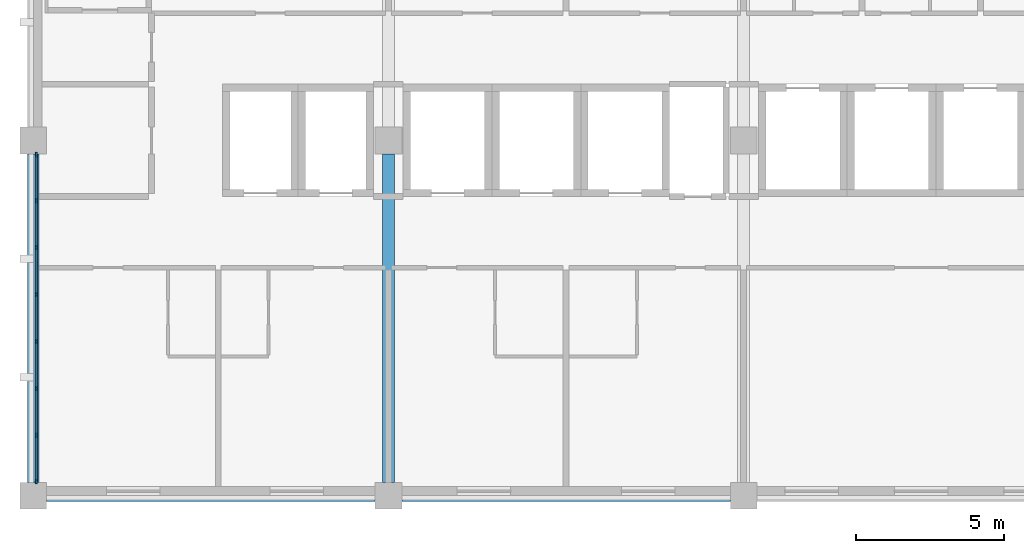
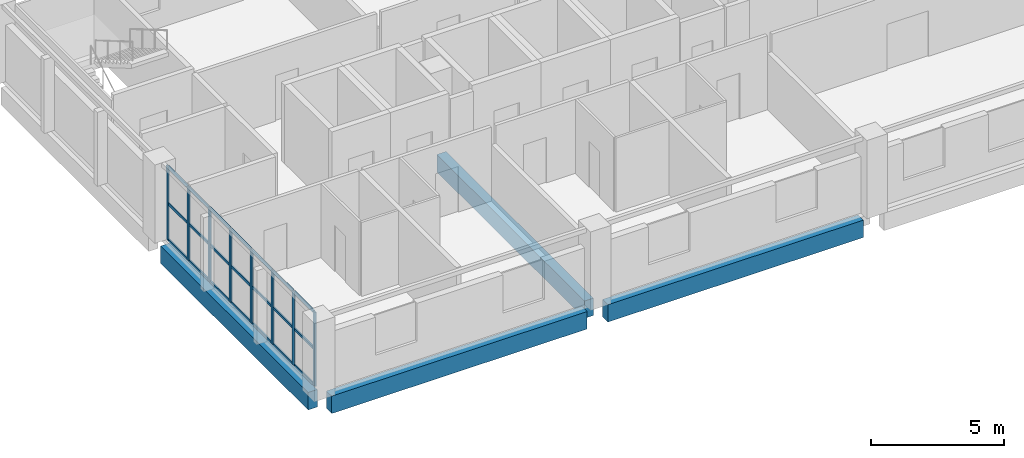
# One storey, part 2 of 11: 29 members, 4 beams, 1 element without a shape of its own.
"""IFC4 building model written with IfcOpenShell, lengths in metres."""

from ifc_helpers import new_model, si_unit, direction, frame, origin, origin_2d, place, context, subcontext, project, spatial, rectangle, extrude, material, layer, layer_set, material_profile, profile_set, type_object, element, aggregate, save


model = new_model("IFC4")

# Units and contexts
model_context = context("Model", 3, precision=1e-05, world=origin(), true_north=direction((0.0, 1.0)))
body_context = subcontext(model_context, "Body", "Model", "MODEL_VIEW")
ifc_project = project(units=[si_unit("LENGTHUNIT", "METRE"), si_unit("AREAUNIT", "SQUARE_METRE"), si_unit("VOLUMEUNIT", "CUBIC_METRE"), si_unit("PLANEANGLEUNIT", "RADIAN"), si_unit("MASSUNIT", "GRAM", prefix="KILO")], contexts=[model_context])

# Site, building, storey
site_placement = place(None, origin())
site = spatial("IfcSite", under=ifc_project, at=site_placement, CompositionType="ELEMENT")
building_placement = place(site_placement, origin())
building = spatial("IfcBuilding", under=site, at=building_placement, Name="Lilac Gate Convention Centre", CompositionType="ELEMENT")
storey_placement = place(building_placement, frame((0.0, 0.0, 31.800048828125)))
storey = spatial("IfcBuildingStorey", under=building, at=storey_placement, Name="L07", CompositionType="ELEMENT", Elevation=31.800048828125)

# Curtain wall, members
ifc_material_1 = material(Name="Aluminium framed double glazing", Category="aluminium")
ifc_layer = layer(ifc_material_1, 0.199951171875)
ifc_layer_set = layer_set([ifc_layer], Name="Aluminium framed double glazing")
curtain_wall_type = type_object("IfcCurtainWallType", Name="Unitised curtain wall 1500", PredefinedType="NOTDEFINED", material=ifc_layer_set)
curtain_wall_placement = place(storey_placement, origin())
curtain_wall = element("IfcCurtainWall", 1, at=curtain_wall_placement, inside=storey, type_object=curtain_wall_type, Name="Curtain wall W L07 2", PredefinedType="NOTDEFINED")
ifc_material_2 = material(Name="Aluminium alloy 6063", Category="aluminium")
ifc_material_profile_1 = material_profile(ifc_material_2, rectangle(XDim=0.06005859375, YDim=0.159912109375, at=origin_2d()), Name="Curtain wall mullion 60 x 160")
ifc_profile_set_1 = profile_set([ifc_material_profile_1], Name="Aluminium alloy 6063")
member_type_1 = type_object("IfcMemberType", Name="Curtain wall mullion 60 x 160", PredefinedType="MULLION", material=ifc_profile_set_1)
member_1_placement = place(storey_placement, frame((42.10009765625, 233.52001953125, 0.0), z_axis=(0.0, 0.0, 1.0), x_axis=(1.0, 0.0, 0.0)))
member_1 = element("IfcMember", 2, at=member_1_placement, type_object=member_type_1, Name="CW mullion 1", PredefinedType="MULLION", context=body_context, shape_type="SweptSolid", body=[
    extrude(rectangle(XDim=0.06005859375, YDim=0.159912109375, at=origin_2d()), origin(), (0.0, 0.0, 1.0), 3.39990234375),
])
member_2_placement = place(storey_placement, frame((42.10009765625, 231.96435546875, 0.0), z_axis=(0.0, 0.0, 1.0), x_axis=(1.0, 0.0, 0.0)))
member_2 = element("IfcMember", 3, at=member_2_placement, type_object=member_type_1, Name="CW mullion 2", PredefinedType="MULLION", context=body_context, shape_type="SweptSolid", body=[
    extrude(rectangle(XDim=0.06005859375, YDim=0.159912109375, at=origin_2d()), origin(), (0.0, 0.0, 1.0), 3.39990234375),
])
member_3_placement = place(storey_placement, frame((42.10009765625, 230.378662109375, 0.0), z_axis=(0.0, 0.0, 1.0), x_axis=(1.0, 0.0, 0.0)))
member_3 = element("IfcMember", 4, at=member_3_placement, type_object=member_type_1, Name="CW mullion 3", PredefinedType="MULLION", context=body_context, shape_type="SweptSolid", body=[
    extrude(rectangle(XDim=0.06005859375, YDim=0.159912109375, at=origin_2d()), origin(), (0.0, 0.0, 1.0), 3.39990234375),
])
member_4_placement = place(storey_placement, frame((42.10009765625, 228.79296875, 0.0), z_axis=(0.0, 0.0, 1.0), x_axis=(1.0, 0.0, 0.0)))
member_4 = element("IfcMember", 5, at=member_4_placement, type_object=member_type_1, Name="CW mullion 4", PredefinedType="MULLION", context=body_context, shape_type="SweptSolid", body=[
    extrude(rectangle(XDim=0.06005859375, YDim=0.159912109375, at=origin_2d()), origin(), (0.0, 0.0, 1.0), 3.39990234375),
])
member_5_placement = place(storey_placement, frame((42.10009765625, 227.20703125, 0.0), z_axis=(0.0, 0.0, 1.0), x_axis=(1.0, 0.0, 0.0)))
member_5 = element("IfcMember", 6, at=member_5_placement, type_object=member_type_1, Name="CW mullion 5", PredefinedType="MULLION", context=body_context, shape_type="SweptSolid", body=[
    extrude(rectangle(XDim=0.06005859375, YDim=0.159912109375, at=origin_2d()), origin(), (0.0, 0.0, 1.0), 3.39990234375),
])
member_6_placement = place(storey_placement, frame((42.10009765625, 225.621337890625, 0.0), z_axis=(0.0, 0.0, 1.0), x_axis=(1.0, 0.0, 0.0)))
member_6 = element("IfcMember", 7, at=member_6_placement, type_object=member_type_1, Name="CW mullion 6", PredefinedType="MULLION", context=body_context, shape_type="SweptSolid", body=[
    extrude(rectangle(XDim=0.06005859375, YDim=0.159912109375, at=origin_2d()), origin(), (0.0, 0.0, 1.0), 3.39990234375),
])
member_7_placement = place(storey_placement, frame((42.10009765625, 224.03564453125, 0.0), z_axis=(0.0, 0.0, 1.0), x_axis=(1.0, 0.0, 0.0)))
member_7 = element("IfcMember", 8, at=member_7_placement, type_object=member_type_1, Name="CW mullion 7", PredefinedType="MULLION", context=body_context, shape_type="SweptSolid", body=[
    extrude(rectangle(XDim=0.06005859375, YDim=0.159912109375, at=origin_2d()), origin(), (0.0, 0.0, 1.0), 3.39990234375),
])
member_8_placement = place(storey_placement, frame((42.10009765625, 222.47998046875, 0.0), z_axis=(0.0, 0.0, 1.0), x_axis=(1.0, 0.0, 0.0)))
member_8 = element("IfcMember", 9, at=member_8_placement, type_object=member_type_1, Name="CW mullion 8", PredefinedType="MULLION", context=body_context, shape_type="SweptSolid", body=[
    extrude(rectangle(XDim=0.06005859375, YDim=0.159912109375, at=origin_2d()), origin(), (0.0, 0.0, 1.0), 3.39990234375),
])
ifc_material_profile_2 = material_profile(ifc_material_2, rectangle(XDim=0.06005859375, YDim=0.1201171875, at=origin_2d()), Name="Curtain wall transom 60 x 120")
ifc_profile_set_2 = profile_set([ifc_material_profile_2], Name="Aluminium alloy 6063")
member_type_2 = type_object("IfcMemberType", Name="Curtain wall transom 60 x 120", PredefinedType="USERDEFINED", material=ifc_profile_set_2)
member_9_placement = place(storey_placement, frame((42.10009765625, 233.489990234375, 0.030029296875), z_axis=(0.0, -1.0, 0.0), x_axis=(1.0, 0.0, 0.0)))
member_9 = element("IfcMember", 10, at=member_9_placement, type_object=member_type_2, Name="CW transom 1.1", ObjectType="TRANSOM", PredefinedType="USERDEFINED", context=body_context, shape_type="SweptSolid", body=[
    extrude(rectangle(XDim=0.06005859375, YDim=0.1201171875, at=origin_2d()), origin(), (0.0, 0.0, 1.0), 1.49560546875),
])
member_10_placement = place(storey_placement, frame((42.10009765625, 233.489990234375, 1.699951171875), z_axis=(0.0, -1.0, 0.0), x_axis=(1.0, 0.0, 0.0)))
member_10 = element("IfcMember", 11, at=member_10_placement, type_object=member_type_2, Name="CW transom 1.2", ObjectType="TRANSOM", PredefinedType="USERDEFINED", context=body_context, shape_type="SweptSolid", body=[
    extrude(rectangle(XDim=0.06005859375, YDim=0.1201171875, at=origin_2d()), origin(), (0.0, 0.0, 1.0), 1.49560546875),
])
member_11_placement = place(storey_placement, frame((42.10009765625, 233.489990234375, 3.369873046875), z_axis=(0.0, -1.0, 0.0), x_axis=(1.0, 0.0, 0.0)))
member_11 = element("IfcMember", 12, at=member_11_placement, type_object=member_type_2, Name="CW transom 1.3", ObjectType="TRANSOM", PredefinedType="USERDEFINED", context=body_context, shape_type="SweptSolid", body=[
    extrude(rectangle(XDim=0.06005859375, YDim=0.1201171875, at=origin_2d()), origin(), (0.0, 0.0, 1.0), 1.49560546875),
])
member_12_placement = place(storey_placement, frame((42.10009765625, 231.934326171875, 0.030029296875), z_axis=(0.0, -1.0, 0.0), x_axis=(1.0, 0.0, 0.0)))
member_12 = element("IfcMember", 13, at=member_12_placement, type_object=member_type_2, Name="CW transom 2.1", ObjectType="TRANSOM", PredefinedType="USERDEFINED", context=body_context, shape_type="SweptSolid", body=[
    extrude(rectangle(XDim=0.06005859375, YDim=0.1201171875, at=origin_2d()), origin(), (0.0, 0.0, 1.0), 1.525634765625),
])
member_13_placement = place(storey_placement, frame((42.10009765625, 231.934326171875, 1.699951171875), z_axis=(0.0, -1.0, 0.0), x_axis=(1.0, 0.0, 0.0)))
member_13 = element("IfcMember", 14, at=member_13_placement, type_object=member_type_2, Name="CW transom 2.2", ObjectType="TRANSOM", PredefinedType="USERDEFINED", context=body_context, shape_type="SweptSolid", body=[
    extrude(rectangle(XDim=0.06005859375, YDim=0.1201171875, at=origin_2d()), origin(), (0.0, 0.0, 1.0), 1.525634765625),
])
member_14_placement = place(storey_placement, frame((42.10009765625, 231.934326171875, 3.369873046875), z_axis=(0.0, -1.0, 0.0), x_axis=(1.0, 0.0, 0.0)))
member_14 = element("IfcMember", 15, at=member_14_placement, type_object=member_type_2, Name="CW transom 2.3", ObjectType="TRANSOM", PredefinedType="USERDEFINED", context=body_context, shape_type="SweptSolid", body=[
    extrude(rectangle(XDim=0.06005859375, YDim=0.1201171875, at=origin_2d()), origin(), (0.0, 0.0, 1.0), 1.525634765625),
])
member_15_placement = place(storey_placement, frame((42.10009765625, 230.3486328125, 0.030029296875), z_axis=(0.0, -1.0, 0.0), x_axis=(1.0, 0.0, 0.0)))
member_15 = element("IfcMember", 16, at=member_15_placement, type_object=member_type_2, Name="CW transom 3.1", ObjectType="TRANSOM", PredefinedType="USERDEFINED", context=body_context, shape_type="SweptSolid", body=[
    extrude(rectangle(XDim=0.06005859375, YDim=0.1201171875, at=origin_2d()), origin(), (0.0, 0.0, 1.0), 1.52587890625),
])
member_16_placement = place(storey_placement, frame((42.10009765625, 230.3486328125, 1.699951171875), z_axis=(0.0, -1.0, 0.0), x_axis=(1.0, 0.0, 0.0)))
member_16 = element("IfcMember", 17, at=member_16_placement, type_object=member_type_2, Name="CW transom 3.2", ObjectType="TRANSOM", PredefinedType="USERDEFINED", context=body_context, shape_type="SweptSolid", body=[
    extrude(rectangle(XDim=0.06005859375, YDim=0.1201171875, at=origin_2d()), origin(), (0.0, 0.0, 1.0), 1.52587890625),
])
member_17_placement = place(storey_placement, frame((42.10009765625, 230.3486328125, 3.369873046875), z_axis=(0.0, -1.0, 0.0), x_axis=(1.0, 0.0, 0.0)))
member_17 = element("IfcMember", 18, at=member_17_placement, type_object=member_type_2, Name="CW transom 3.3", ObjectType="TRANSOM", PredefinedType="USERDEFINED", context=body_context, shape_type="SweptSolid", body=[
    extrude(rectangle(XDim=0.06005859375, YDim=0.1201171875, at=origin_2d()), origin(), (0.0, 0.0, 1.0), 1.52587890625),
])
member_18_placement = place(storey_placement, frame((42.10009765625, 228.762939453125, 0.030029296875), z_axis=(0.0, -1.0, 0.0), x_axis=(1.0, 0.0, 0.0)))
member_18 = element("IfcMember", 19, at=member_18_placement, type_object=member_type_2, Name="CW transom 4.1", ObjectType="TRANSOM", PredefinedType="USERDEFINED", context=body_context, shape_type="SweptSolid", body=[
    extrude(rectangle(XDim=0.06005859375, YDim=0.1201171875, at=origin_2d()), origin(), (0.0, 0.0, 1.0), 1.52587890625),
])
member_19_placement = place(storey_placement, frame((42.10009765625, 228.762939453125, 1.699951171875), z_axis=(0.0, -1.0, 0.0), x_axis=(1.0, 0.0, 0.0)))
member_19 = element("IfcMember", 20, at=member_19_placement, type_object=member_type_2, Name="CW transom 4.2", ObjectType="TRANSOM", PredefinedType="USERDEFINED", context=body_context, shape_type="SweptSolid", body=[
    extrude(rectangle(XDim=0.06005859375, YDim=0.1201171875, at=origin_2d()), origin(), (0.0, 0.0, 1.0), 1.52587890625),
])
member_20_placement = place(storey_placement, frame((42.10009765625, 228.762939453125, 3.369873046875), z_axis=(0.0, -1.0, 0.0), x_axis=(1.0, 0.0, 0.0)))
member_20 = element("IfcMember", 21, at=member_20_placement, type_object=member_type_2, Name="CW transom 4.3", ObjectType="TRANSOM", PredefinedType="USERDEFINED", context=body_context, shape_type="SweptSolid", body=[
    extrude(rectangle(XDim=0.06005859375, YDim=0.1201171875, at=origin_2d()), origin(), (0.0, 0.0, 1.0), 1.52587890625),
])
member_21_placement = place(storey_placement, frame((42.10009765625, 227.17724609375, 0.030029296875), z_axis=(0.0, -1.0, 0.0), x_axis=(1.0, 0.0, 0.0)))
member_21 = element("IfcMember", 22, at=member_21_placement, type_object=member_type_2, Name="CW transom 5.1", ObjectType="TRANSOM", PredefinedType="USERDEFINED", context=body_context, shape_type="SweptSolid", body=[
    extrude(rectangle(XDim=0.06005859375, YDim=0.1201171875, at=origin_2d()), origin(), (0.0, 0.0, 1.0), 1.52587890625),
])
member_22_placement = place(storey_placement, frame((42.10009765625, 227.17724609375, 1.699951171875), z_axis=(0.0, -1.0, 0.0), x_axis=(1.0, 0.0, 0.0)))
member_22 = element("IfcMember", 23, at=member_22_placement, type_object=member_type_2, Name="CW transom 5.2", ObjectType="TRANSOM", PredefinedType="USERDEFINED", context=body_context, shape_type="SweptSolid", body=[
    extrude(rectangle(XDim=0.06005859375, YDim=0.1201171875, at=origin_2d()), origin(), (0.0, 0.0, 1.0), 1.52587890625),
])
member_23_placement = place(storey_placement, frame((42.10009765625, 227.17724609375, 3.369873046875), z_axis=(0.0, -1.0, 0.0), x_axis=(1.0, 0.0, 0.0)))
member_23 = element("IfcMember", 24, at=member_23_placement, type_object=member_type_2, Name="CW transom 5.3", ObjectType="TRANSOM", PredefinedType="USERDEFINED", context=body_context, shape_type="SweptSolid", body=[
    extrude(rectangle(XDim=0.06005859375, YDim=0.1201171875, at=origin_2d()), origin(), (0.0, 0.0, 1.0), 1.52587890625),
])
member_24_placement = place(storey_placement, frame((42.10009765625, 225.59130859375, 0.030029296875), z_axis=(0.0, -1.0, 0.0), x_axis=(1.0, 0.0, 0.0)))
member_24 = element("IfcMember", 25, at=member_24_placement, type_object=member_type_2, Name="CW transom 6.1", ObjectType="TRANSOM", PredefinedType="USERDEFINED", context=body_context, shape_type="SweptSolid", body=[
    extrude(rectangle(XDim=0.06005859375, YDim=0.1201171875, at=origin_2d()), origin(), (0.0, 0.0, 1.0), 1.525634765625),
])
member_25_placement = place(storey_placement, frame((42.10009765625, 225.59130859375, 1.699951171875), z_axis=(0.0, -1.0, 0.0), x_axis=(1.0, 0.0, 0.0)))
member_25 = element("IfcMember", 26, at=member_25_placement, type_object=member_type_2, Name="CW transom 6.2", ObjectType="TRANSOM", PredefinedType="USERDEFINED", context=body_context, shape_type="SweptSolid", body=[
    extrude(rectangle(XDim=0.06005859375, YDim=0.1201171875, at=origin_2d()), origin(), (0.0, 0.0, 1.0), 1.525634765625),
])
member_26_placement = place(storey_placement, frame((42.10009765625, 225.59130859375, 3.369873046875), z_axis=(0.0, -1.0, 0.0), x_axis=(1.0, 0.0, 0.0)))
member_26 = element("IfcMember", 27, at=member_26_placement, type_object=member_type_2, Name="CW transom 6.3", ObjectType="TRANSOM", PredefinedType="USERDEFINED", context=body_context, shape_type="SweptSolid", body=[
    extrude(rectangle(XDim=0.06005859375, YDim=0.1201171875, at=origin_2d()), origin(), (0.0, 0.0, 1.0), 1.525634765625),
])
member_27_placement = place(storey_placement, frame((42.10009765625, 224.005615234375, 0.030029296875), z_axis=(0.0, -1.0, 0.0), x_axis=(1.0, 0.0, 0.0)))
member_27 = element("IfcMember", 28, at=member_27_placement, type_object=member_type_2, Name="CW transom 7.1", ObjectType="TRANSOM", PredefinedType="USERDEFINED", context=body_context, shape_type="SweptSolid", body=[
    extrude(rectangle(XDim=0.06005859375, YDim=0.1201171875, at=origin_2d()), origin(), (0.0, 0.0, 1.0), 1.49560546875),
])
member_28_placement = place(storey_placement, frame((42.10009765625, 224.005615234375, 1.699951171875), z_axis=(0.0, -1.0, 0.0), x_axis=(1.0, 0.0, 0.0)))
member_28 = element("IfcMember", 29, at=member_28_placement, type_object=member_type_2, Name="CW transom 7.2", ObjectType="TRANSOM", PredefinedType="USERDEFINED", context=body_context, shape_type="SweptSolid", body=[
    extrude(rectangle(XDim=0.06005859375, YDim=0.1201171875, at=origin_2d()), origin(), (0.0, 0.0, 1.0), 1.49560546875),
])
member_29_placement = place(storey_placement, frame((42.10009765625, 224.005615234375, 3.369873046875), z_axis=(0.0, -1.0, 0.0), x_axis=(1.0, 0.0, 0.0)))
member_29 = element("IfcMember", 30, at=member_29_placement, type_object=member_type_2, Name="CW transom 7.3", ObjectType="TRANSOM", PredefinedType="USERDEFINED", context=body_context, shape_type="SweptSolid", body=[
    extrude(rectangle(XDim=0.06005859375, YDim=0.1201171875, at=origin_2d()), origin(), (0.0, 0.0, 1.0), 1.49560546875),
])
aggregate(curtain_wall, [member_1, member_2, member_3, member_4, member_5, member_6, member_7, member_8, member_9, member_10, member_11, member_12, member_13, member_14, member_15, member_16, member_17, member_18, member_19, member_20, member_21, member_22, member_23, member_24, member_25, member_26, member_27, member_28, member_29])

# Beams
ifc_material_3 = material(Name="Concrete C40", Category="concrete")
ifc_material_profile_3 = material_profile(ifc_material_3, rectangle(XDim=0.39990234375, YDim=0.800048828125, at=origin_2d()), Name="RC 400x800")
ifc_profile_set_3 = profile_set([ifc_material_profile_3], Name="Concrete C40")
beam_type = type_object("IfcBeamType", Name="Tower primary beam 400x800 C40", PredefinedType="BEAM", material=ifc_profile_set_3)
for number, where, z_axis, x_axis, name in (
    (31, (42.449951171875, 222.0, -0.60009765625), (1.0, 0.0, 0.0), (0.0, 1.0, 0.0), "RB3 L07 4/S-5/S"),
    (32, (54.449951171875, 222.0, -0.60009765625), (1.0, 0.0, 0.0), (0.0, 1.0, 0.0), "RB3 L07 5/S-6/S"),
    (33, (42.0, 222.449951171875, -0.60009765625), (0.0, 1.0, 0.0), (-1.0, 0.0, 0.0), "RB3 L07 4/S-4/T"),
    (34, (54.0, 222.449951171875, -0.60009765625), (0.0, 1.0, 0.0), (-1.0, 0.0, 0.0), "RB3 L07 5/S-5/T"),
):
    element("IfcBeam", number, at=place(storey_placement, frame(where, z_axis=z_axis, x_axis=x_axis)), inside=storey, type_object=beam_type, Name=name, PredefinedType="BEAM", context=body_context, shape_type="SweptSolid", body=[
        extrude(rectangle(XDim=0.39990234375, YDim=0.800048828125, at=origin_2d()), origin(), (0.0, 0.0, 1.0), 11.10009765625),
    ])

save(model, "model.ifc")
